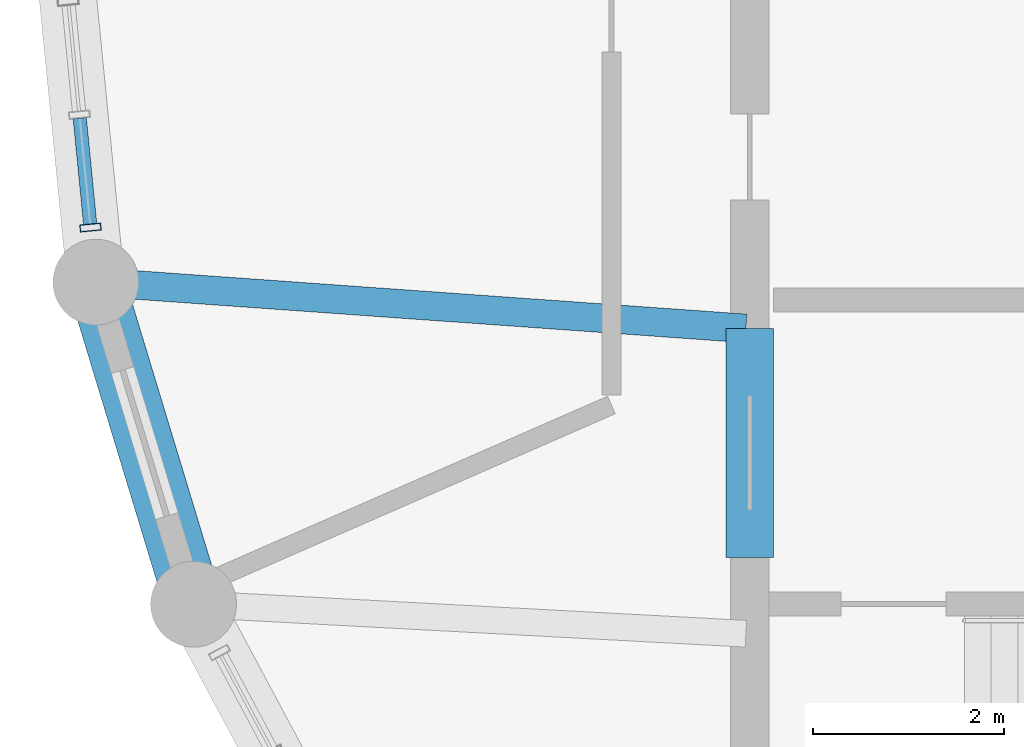
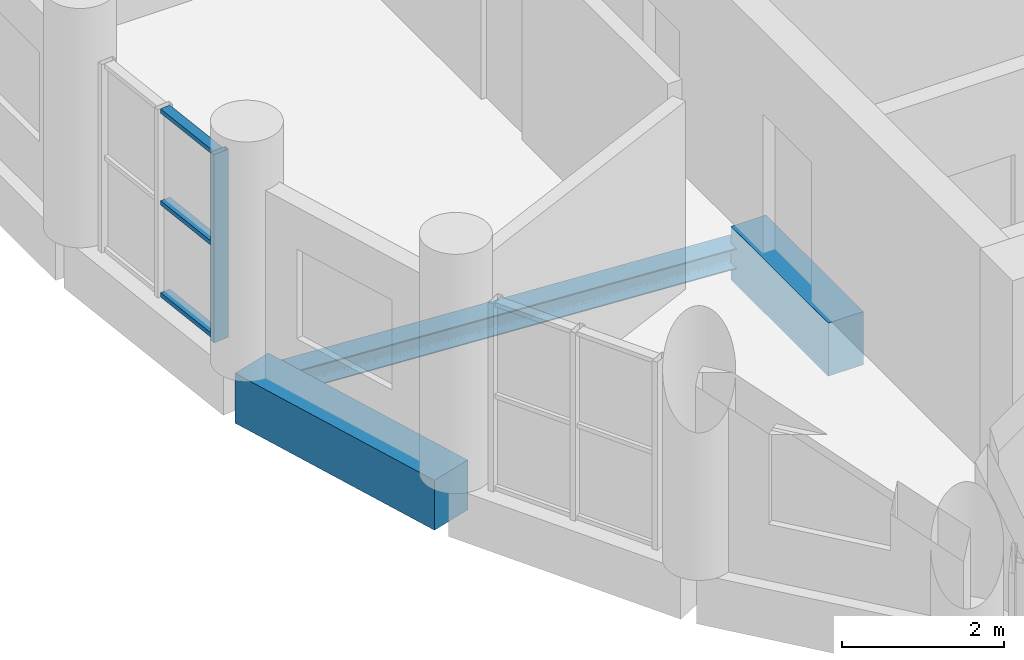
# One storey, part 3 of 11: 4 members, 3 beams, 1 element without a shape of its own.
"""IFC4 building model written with IfcOpenShell, lengths in metres."""

from ifc_helpers import new_model, si_unit, direction, frame, origin, origin_2d, place, context, subcontext, project, spatial, rectangle, hollow_rectangle, i_section, extrude, material, layer, layer_set, material_profile, profile_set, type_object, element, aggregate, save


model = new_model("IFC4")

# Units and contexts
model_context = context("Model", 3, precision=1e-05, world=origin(), true_north=direction((0.0, 1.0)))
body_context = subcontext(model_context, "Body", "Model", "MODEL_VIEW")
ifc_project = project(units=[si_unit("LENGTHUNIT", "METRE"), si_unit("AREAUNIT", "SQUARE_METRE"), si_unit("VOLUMEUNIT", "CUBIC_METRE"), si_unit("PLANEANGLEUNIT", "RADIAN"), si_unit("MASSUNIT", "GRAM", prefix="KILO")], contexts=[model_context])

# Site, building, storey
site_placement = place(None, origin())
site = spatial("IfcSite", under=ifc_project, at=site_placement, CompositionType="ELEMENT")
building_placement = place(site_placement, origin())
building = spatial("IfcBuilding", under=site, at=building_placement, Name="Solnavia Interchange Tower", CompositionType="ELEMENT")
storey_placement = place(building_placement, frame((0.0, 0.0, 239.0)))
storey = spatial("IfcBuildingStorey", under=building, at=storey_placement, Name="L60", CompositionType="ELEMENT", Elevation=239.0)

# Beams
ifc_material_1 = material(Name="Concrete C50/60", Category="concrete")
ifc_material_profile_1 = material_profile(ifc_material_1, rectangle(XDim=0.5, YDim=0.800048828125, at=origin_2d()), Name="RC 500x800")
ifc_profile_set_1 = profile_set([ifc_material_profile_1], Name="Concrete C50/60")
beam_type_1 = type_object("IfcBeamType", Name="Beam-Coupling-RC500x800", PredefinedType="LINTEL", material=ifc_profile_set_1)
beam_1_placement = place(storey_placement, frame((14.39990234375, 15.199951171875, -0.39990234375), z_axis=(0.0, 1.0, 0.0), x_axis=(-1.0, 0.0, 0.0)))
element("IfcBeam", 1, at=beam_1_placement, inside=storey, type_object=beam_type_1, Name="CPB-L60-W1 Core coupling lintel beam", PredefinedType="LINTEL", context=body_context, shape_type="SweptSolid", body=[
    extrude(rectangle(XDim=0.5, YDim=0.800048828125, at=origin_2d()), origin(), (0.0, 0.0, 1.0), 2.400146484375),
])
ifc_material_2 = material(Name="Steel S355", Category="steel")
ifc_material_profile_2 = material_profile(ifc_material_2, i_section(OverallWidth=0.300048828125, OverallDepth=0.31005859375, WebThickness=0.009033203125, FlangeThickness=0.015380859375, FilletRadius=0.027099609375, at=origin_2d()), Name="HEA 320")
ifc_profile_set_2 = profile_set([ifc_material_profile_2], Name="Steel S355")
beam_type_2 = type_object("IfcBeamType", Name="Beam-Primary-HEA320", PredefinedType="BEAM", material=ifc_profile_set_2)
beam_2_placement = place(storey_placement, frame((7.625732421875, 18.082275390625, -0.405029296875), z_axis=(0.99747482749, -0.071020902015, 0.0), x_axis=(0.071020902015, 0.99747482749, 0.0)))
element("IfcBeam", 2, at=beam_2_placement, inside=storey, type_object=beam_type_2, Name="GRD-L60-DR05 Drum radial floor girder", PredefinedType="BEAM", context=body_context, shape_type="SweptSolid", body=[
    extrude(i_section(OverallWidth=0.300048828125, OverallDepth=0.31005859375, WebThickness=0.009033203125, FlangeThickness=0.015380859375, FilletRadius=0.027099609375, at=origin_2d()), origin(), (0.0, 0.0, 1.0), 6.75146484375),
])
ifc_material_profile_3 = material_profile(ifc_material_1, rectangle(XDim=0.60009765625, YDim=0.75, at=origin_2d()), Name="RC 600x750")
ifc_profile_set_3 = profile_set([ifc_material_profile_3], Name="Concrete C50/60")
beam_type_3 = type_object("IfcBeamType", Name="Beam-Spandrel-RC600x750", PredefinedType="SPANDREL", material=ifc_profile_set_3)
beam_3_placement = place(storey_placement, frame((7.569091796875, 18.011474609375, -0.375), z_axis=(0.290319223646, -0.956929855518, 0.0), x_axis=(0.956929855518, 0.290319223646, 0.0)))
element("IfcBeam", 3, at=beam_3_placement, inside=storey, type_object=beam_type_3, Name="SPB-L60-02 Framed-tube perimeter spandrel beam", PredefinedType="SPANDREL", context=body_context, shape_type="SweptSolid", body=[
    extrude(rectangle(XDim=0.60009765625, YDim=0.75, at=origin_2d()), origin(), (0.0, 0.0, 1.0), 3.367919921875),
])

# Curtain wall, members
ifc_material_3 = material(Name="Aluminium Alloy 6063-T6", Category="aluminium")
ifc_layer = layer(ifc_material_3, 0.239990234375)
ifc_layer_set = layer_set([ifc_layer], Name="Aluminium Alloy 6063-T6")
curtain_wall_type = type_object("IfcCurtainWallType", Name="CurtainWall-Drum-CTW2", PredefinedType="NOTDEFINED", material=ifc_layer_set)
curtain_wall_placement = place(storey_placement, origin())
curtain_wall = element("IfcCurtainWall", 4, at=curtain_wall_placement, inside=storey, type_object=curtain_wall_type, Name="CTW-L60-D37 CTW-2 curtain wall", PredefinedType="NOTDEFINED")
ifc_material_profile_4 = material_profile(ifc_material_3, hollow_rectangle(XDim=0.074951171875, YDim=0.219970703125, WallThickness=0.0048828125, at=origin_2d()), Name="ALU 220x75x5")
ifc_profile_set_4 = profile_set([ifc_material_profile_4], Name="Aluminium Alloy 6063-T6")
member_type_1 = type_object("IfcMemberType", Name="CW-Mullion-CWM-2", PredefinedType="MULLION", material=ifc_profile_set_4)
member_1_placement = place(storey_placement, frame((7.489501953125, 18.66015625, 0.0), z_axis=(0.0, 0.0, 1.0), x_axis=(0.098043088306, -0.995182170678, 0.0)))
member_1 = element("IfcMember", 5, at=member_1_placement, type_object=member_type_1, Name="CTW-2 mullion 3", PredefinedType="MULLION", context=body_context, shape_type="SweptSolid", body=[
    extrude(hollow_rectangle(XDim=0.074951171875, YDim=0.219970703125, WallThickness=0.0048828125, at=origin_2d()), origin(), (0.0, 0.0, 1.0), 2.830078125),
])
ifc_material_profile_5 = material_profile(ifc_material_3, hollow_rectangle(XDim=0.06494140625, YDim=0.139892578125, WallThickness=0.00390625, at=origin_2d()), Name="ALU 140x65x4")
ifc_profile_set_5 = profile_set([ifc_material_profile_5], Name="Aluminium Alloy 6063-T6")
member_type_2 = type_object("IfcMemberType", Name="CW-Transom-CWT-2", PredefinedType="USERDEFINED", material=ifc_profile_set_5)
member_2_placement = place(storey_placement, frame((7.376708984375, 19.806640625, 0.032470703125), z_axis=(0.097920280653, -0.995194261758, 0.0), x_axis=(0.0, 0.0, 1.0)))
member_2 = element("IfcMember", 6, at=member_2_placement, type_object=member_type_2, Name="CTW-2 transom 2.1", ObjectType="TRANSOM", PredefinedType="USERDEFINED", context=body_context, shape_type="SweptSolid", body=[
    extrude(hollow_rectangle(XDim=0.06494140625, YDim=0.139892578125, WallThickness=0.00390625, at=origin_2d()), origin(), (0.0, 0.0, 1.0), 1.114501953125),
])
member_3_placement = place(storey_placement, frame((7.376708984375, 19.806640625, 1.4150390625), z_axis=(0.097920280653, -0.995194261758, 0.0), x_axis=(0.0, 0.0, 1.0)))
member_3 = element("IfcMember", 7, at=member_3_placement, type_object=member_type_2, Name="CTW-2 transom 2.2", ObjectType="TRANSOM", PredefinedType="USERDEFINED", context=body_context, shape_type="SweptSolid", body=[
    extrude(hollow_rectangle(XDim=0.06494140625, YDim=0.139892578125, WallThickness=0.00390625, at=origin_2d()), origin(), (0.0, 0.0, 1.0), 1.114501953125),
])
member_4_placement = place(storey_placement, frame((7.376708984375, 19.806640625, 2.797607421875), z_axis=(0.097920280653, -0.995194261758, 0.0), x_axis=(0.0, 0.0, 1.0)))
member_4 = element("IfcMember", 8, at=member_4_placement, type_object=member_type_2, Name="CTW-2 transom 2.3", ObjectType="TRANSOM", PredefinedType="USERDEFINED", context=body_context, shape_type="SweptSolid", body=[
    extrude(hollow_rectangle(XDim=0.06494140625, YDim=0.139892578125, WallThickness=0.00390625, at=origin_2d()), origin(), (0.0, 0.0, 1.0), 1.114501953125),
])
aggregate(curtain_wall, [member_1, member_2, member_3, member_4])

save(model, "model.ifc")
